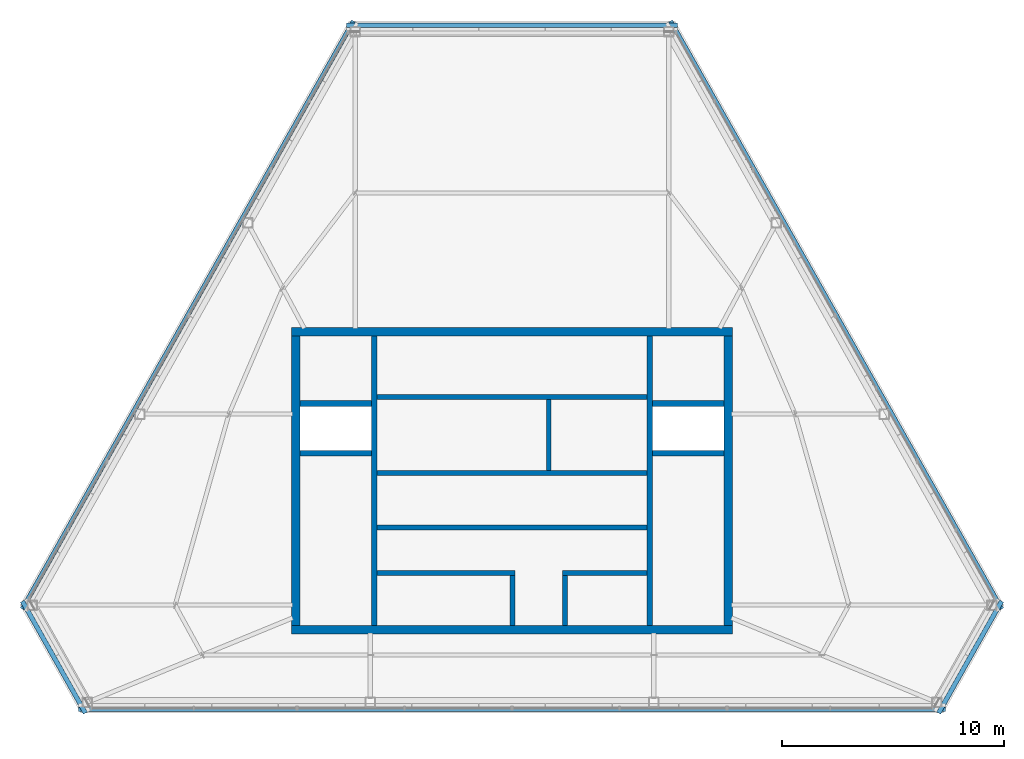
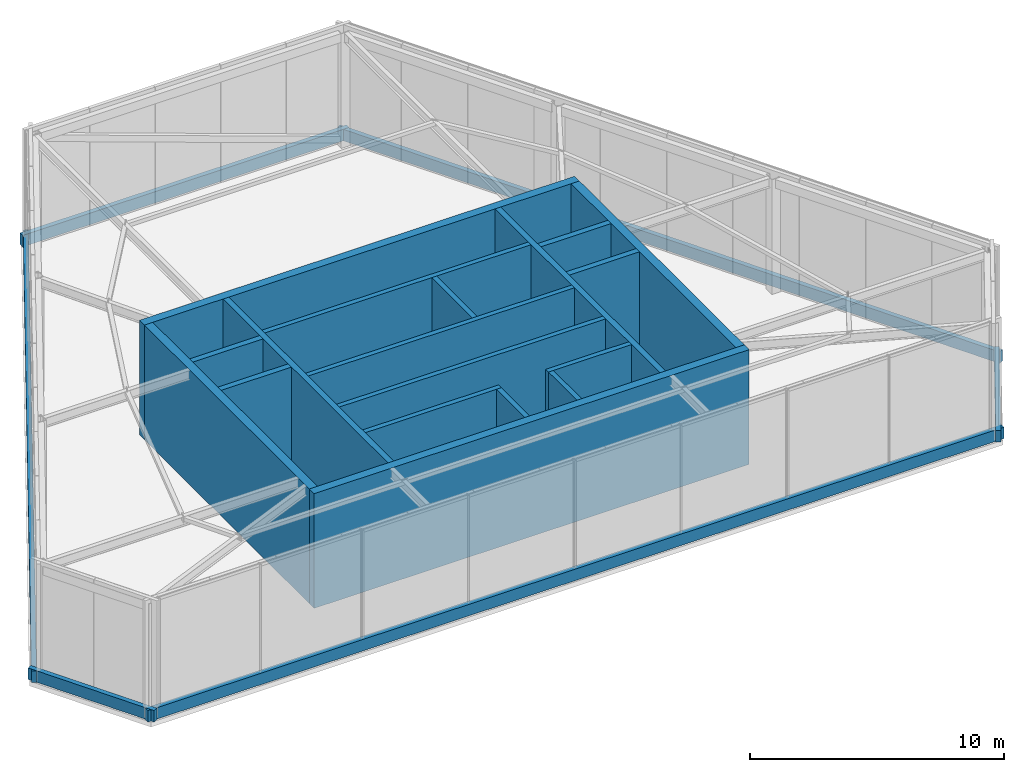
# One storey, part 11 of 12: 24 walls.
"""IFC4 building model written with IfcOpenShell, lengths in metres."""

from ifc_helpers import new_model, si_unit, direction, frame, frame_2d, origin, place, context, subcontext, project, spatial, rectangle, extrude, material, layer, layer_set, type_object, element, save


model = new_model("IFC4")

# Units and contexts
model_context = context("Model", 3, precision=1e-05, world=origin(), true_north=direction((0.0, 1.0)))
body_context = subcontext(model_context, "Body", "Model", "MODEL_VIEW")
ifc_project = project(units=[si_unit("LENGTHUNIT", "METRE"), si_unit("AREAUNIT", "SQUARE_METRE"), si_unit("VOLUMEUNIT", "CUBIC_METRE"), si_unit("PLANEANGLEUNIT", "RADIAN"), si_unit("MASSUNIT", "GRAM", prefix="KILO")], contexts=[model_context])

# Site, building, storey
site_placement = place(None, origin())
site = spatial("IfcSite", under=ifc_project, at=site_placement, CompositionType="ELEMENT")
building_placement = place(site_placement, origin())
building = spatial("IfcBuilding", under=site, at=building_placement, Name="Kavelnor Concourse Tower", CompositionType="ELEMENT")
storey_placement = place(building_placement, frame((0.0, 0.0, 315.699951171875)))
storey = spatial("IfcBuildingStorey", under=building, at=storey_placement, Name="L79", CompositionType="ELEMENT", Elevation=315.699951171875)

# Walls
ifc_material_1 = material(Name="Concrete C50/60", Category="concrete")
ifc_layer_1 = layer(ifc_material_1, 0.3798828125, Name="Concrete C50/60")
ifc_layer_set_1 = layer_set([ifc_layer_1], Name="Concrete C50/60")
wall_type_1 = type_object("IfcWallType", Name="WL-CORE-Z4-380", PredefinedType="SOLIDWALL", material=ifc_layer_set_1)
for number, where, z_axis, x_axis, name in (
    (1, (28.10009765625, 9.409912109375, 0.0), (0.0, 0.0, 1.0), (1.0, 0.0, 0.0), "L79 Central Core South Shear Wall"),
    (2, (28.10009765625, 22.7900390625, 0.0), (0.0, 0.0, 1.0), (1.0, 0.0, 0.0), "L79 Central Core North Shear Wall"),
):
    element("IfcWall", number, at=place(storey_placement, frame(where, z_axis=z_axis, x_axis=x_axis)), inside=storey, type_object=wall_type_1, Name=name, PredefinedType="SOLIDWALL", context=body_context, shape_type="SweptSolid", body=[
        extrude(rectangle(XDim=19.7998046875, YDim=0.3798828125, at=frame_2d((9.89990234375, 0.0))), origin(), (0.0, 0.0, 1.0), 5.52001953125),
    ])
for number, where, z_axis, x_axis, name in (
    (3, (28.2900390625, 9.60009765625, 0.0), (0.0, 0.0, 1.0), (0.0, 1.0, 0.0), "L79 Central Core West Shear Wall"),
    (4, (47.7099609375, 9.60009765625, 0.0), (0.0, 0.0, 1.0), (0.0, 1.0, 0.0), "L79 Central Core East Shear Wall"),
):
    element("IfcWall", number, at=place(storey_placement, frame(where, z_axis=z_axis, x_axis=x_axis)), inside=storey, type_object=wall_type_1, Name=name, PredefinedType="SOLIDWALL", context=body_context, shape_type="SweptSolid", body=[
        extrude(rectangle(XDim=13.0, YDim=0.3798828125, at=frame_2d((6.5, 0.0))), origin(), (0.0, 0.0, 1.0), 5.52001953125),
    ])
ifc_material_2 = material(Name="Buff ironspot clay face brick masonry", Category="masonry")
ifc_layer_2 = layer(ifc_material_2, 0.2099609375, Name="Buff ironspot clay face brick masonry")
ifc_layer_set_2 = layer_set([ifc_layer_2], Name="Buff ironspot clay face brick masonry")
wall_type_2 = type_object("IfcWallType", Name="WL-PARAPET-CROWN-210", PredefinedType="PARAPET", material=ifc_layer_set_2)
wall_1_placement = place(storey_placement, frame((45.4296875, 36.576171875, 0.0), z_axis=(0.0, 0.0, 1.0), x_axis=(-1.0, 0.0, 0.0)))
element("IfcWall", 5, at=wall_1_placement, inside=storey, type_object=wall_type_2, Name="L79 Crown Perimeter Sill Upstand E0", PredefinedType="PARAPET", context=body_context, shape_type="SweptSolid", body=[
    extrude(rectangle(XDim=14.859375, YDim=0.2099609375, at=frame_2d((7.4296875, 0.0))), origin(), (0.0, 0.0, 1.0), 0.550048828125),
])
wall_2_placement = place(storey_placement, frame((30.876220703125, 36.7548828125, 0.0), z_axis=(0.0, 0.0, 1.0), x_axis=(-0.490730545971, -0.87131138593, 0.0)))
element("IfcWall", 6, at=wall_2_placement, inside=storey, type_object=wall_type_2, Name="L79 Crown Perimeter Sill Upstand E1", PredefinedType="PARAPET", context=body_context, shape_type="SweptSolid", body=[
    extrude(rectangle(XDim=30.325439453125, YDim=0.2099609375, at=frame_2d((15.16259765625, 0.0))), origin(), (0.0, 0.0, 1.0), 0.550048828125),
])
wall_3_placement = place(storey_placement, frame((15.99462890625, 10.68310546875, 0.0), z_axis=(0.0, 0.0, 1.0), x_axis=(0.490715240018, -0.871320006206, 0.0)))
element("IfcWall", 7, at=wall_3_placement, inside=storey, type_object=wall_type_2, Name="L79 Crown Perimeter Sill Upstand E2", PredefinedType="PARAPET", context=body_context, shape_type="SweptSolid", body=[
    extrude(rectangle(XDim=5.769287109375, YDim=0.2099609375, at=frame_2d((2.884765625, 0.0))), origin(), (0.0, 0.0, 1.0), 0.550048828125),
])
wall_4_placement = place(storey_placement, frame((18.52001953125, 5.8349609375, 0.0), z_axis=(0.0, 0.0, 1.0), x_axis=(1.0, 0.0, 0.0)))
element("IfcWall", 8, at=wall_4_placement, inside=storey, type_object=wall_type_2, Name="L79 Crown Perimeter Sill Upstand E3", PredefinedType="PARAPET", context=body_context, shape_type="SweptSolid", body=[
    extrude(rectangle(XDim=38.9599609375, YDim=0.2099609375, at=frame_2d((19.47998046875, 0.0))), origin(), (0.0, 0.0, 1.0), 0.550048828125),
])
wall_5_placement = place(storey_placement, frame((57.17431640625, 5.65625, 0.0), z_axis=(0.0, 0.0, 1.0), x_axis=(0.490715240018, 0.871320006206, 0.0)))
element("IfcWall", 9, at=wall_5_placement, inside=storey, type_object=wall_type_2, Name="L79 Crown Perimeter Sill Upstand E4", PredefinedType="PARAPET", context=body_context, shape_type="SweptSolid", body=[
    extrude(rectangle(XDim=5.769287109375, YDim=0.2099609375, at=frame_2d((2.884765625, 0.0))), origin(), (0.0, 0.0, 1.0), 0.550048828125),
])
wall_6_placement = place(storey_placement, frame((60.00537109375, 10.33203125, 0.0), z_axis=(0.0, 0.0, 1.0), x_axis=(-0.490730545971, 0.87131138593, 0.0)))
element("IfcWall", 10, at=wall_6_placement, inside=storey, type_object=wall_type_2, Name="L79 Crown Perimeter Sill Upstand E5", PredefinedType="PARAPET", context=body_context, shape_type="SweptSolid", body=[
    extrude(rectangle(XDim=30.325439453125, YDim=0.2099609375, at=frame_2d((15.16259765625, 0.0))), origin(), (0.0, 0.0, 1.0), 0.550048828125),
])
ifc_layer_3 = layer(ifc_material_1, 0.219970703125, Name="Concrete C50/60")
ifc_layer_set_3 = layer_set([ifc_layer_3], Name="Concrete C50/60")
wall_type_3 = type_object("IfcWallType", Name="WL-SHAFT-220", PredefinedType="SOLIDWALL", material=ifc_layer_set_3)
for number, where, z_axis, x_axis, name in (
    (11, (31.93994140625, 19.8701171875, 0.0), (0.0, 0.0, 1.0), (1.0, 0.0, 0.0), "L79 Emergency Lift Lobby South Wall"),
    (12, (31.93994140625, 16.449951171875, 0.0), (0.0, 0.0, 1.0), (1.0, 0.0, 0.0), "L79 Stair ST3 South Core Wall"),
):
    element("IfcWall", number, at=place(storey_placement, frame(where, z_axis=z_axis, x_axis=x_axis)), inside=storey, type_object=wall_type_3, Name=name, PredefinedType="SOLIDWALL", context=body_context, shape_type="SweptSolid", body=[
        extrude(rectangle(XDim=12.1201171875, YDim=0.219970703125, at=frame_2d((6.06005859375, 0.0))), origin(), (0.0, 0.0, 1.0), 5.52001953125),
    ])
wall_7_placement = place(storey_placement, frame((39.64990234375, 16.56005859375, 0.0), z_axis=(0.0, 0.0, 1.0), x_axis=(0.0, 1.0, 0.0)))
element("IfcWall", 13, at=wall_7_placement, inside=storey, type_object=wall_type_3, Name="L79 Stair ST3 East Core Wall", PredefinedType="SOLIDWALL", context=body_context, shape_type="SweptSolid", body=[
    extrude(rectangle(XDim=3.199951171875, YDim=0.219970703125, at=frame_2d((1.60009765625, 0.0))), origin(), (0.0, 0.0, 1.0), 5.52001953125),
])
wall_8_placement = place(storey_placement, frame((31.93994140625, 13.989990234375, 0.0), z_axis=(0.0, 0.0, 1.0), x_axis=(1.0, 0.0, 0.0)))
element("IfcWall", 14, at=wall_8_placement, inside=storey, type_object=wall_type_3, Name="L79 North Lift Row Shaft Wall", PredefinedType="SOLIDWALL", context=body_context, shape_type="SweptSolid", body=[
    extrude(rectangle(XDim=12.1201171875, YDim=0.219970703125, at=frame_2d((6.06005859375, 0.0))), origin(), (0.0, 0.0, 1.0), 5.52001953125),
])
wall_9_placement = place(storey_placement, frame((31.93994140625, 11.949951171875, 0.0), z_axis=(0.0, 0.0, 1.0), x_axis=(1.0, 0.0, 0.0)))
element("IfcWall", 15, at=wall_9_placement, inside=storey, type_object=wall_type_3, Name="L79 High-Rise Lift Bank North Wall", PredefinedType="SOLIDWALL", context=body_context, shape_type="SweptSolid", body=[
    extrude(rectangle(XDim=6.18994140625, YDim=0.219970703125, at=frame_2d((3.094970703125, 0.0))), origin(), (0.0, 0.0, 1.0), 5.52001953125),
])
wall_10_placement = place(storey_placement, frame((40.280029296875, 11.949951171875, 0.0), z_axis=(0.0, 0.0, 1.0), x_axis=(1.0, 0.0, 0.0)))
element("IfcWall", 16, at=wall_10_placement, inside=storey, type_object=wall_type_3, Name="L79 Core South Support North Wall", PredefinedType="SOLIDWALL", context=body_context, shape_type="SweptSolid", body=[
    extrude(rectangle(XDim=3.780029296875, YDim=0.219970703125, at=frame_2d((1.89013671875, 0.0))), origin(), (0.0, 0.0, 1.0), 5.52001953125),
])
for number, where, z_axis, x_axis, name in (
    (17, (38.02001953125, 9.60009765625, 0.0), (0.0, 0.0, 1.0), (0.0, 1.0, 0.0), "L79 Lift Lobby Throat West Wall"),
    (18, (40.389892578125, 9.60009765625, 0.0), (0.0, 0.0, 1.0), (0.0, 1.0, 0.0), "L79 Lift Lobby Throat East Wall"),
):
    element("IfcWall", number, at=place(storey_placement, frame(where, z_axis=z_axis, x_axis=x_axis)), inside=storey, type_object=wall_type_3, Name=name, PredefinedType="SOLIDWALL", context=body_context, shape_type="SweptSolid", body=[
        extrude(rectangle(XDim=2.239990234375, YDim=0.219970703125, at=frame_2d((1.1201171875, 0.0))), origin(), (0.0, 0.0, 1.0), 5.52001953125),
    ])
ifc_layer_4 = layer(ifc_material_1, 0.260009765625, Name="Concrete C50/60")
ifc_layer_set_4 = layer_set([ifc_layer_4], Name="Concrete C50/60")
wall_type_4 = type_object("IfcWallType", Name="WL-SHAFT-260", PredefinedType="SHEAR", material=ifc_layer_set_4)
for number, where, z_axis, x_axis, name in (
    (19, (31.81005859375, 9.60009765625, 0.0), (0.0, 0.0, 1.0), (0.0, 1.0, 0.0), "L79 Core West Wing Shear Wall"),
    (20, (44.18994140625, 9.60009765625, 0.0), (0.0, 0.0, 1.0), (0.0, 1.0, 0.0), "L79 Core East Wing Shear Wall"),
):
    element("IfcWall", number, at=place(storey_placement, frame(where, z_axis=z_axis, x_axis=x_axis)), inside=storey, type_object=wall_type_4, Name=name, PredefinedType="SHEAR", context=body_context, shape_type="SweptSolid", body=[
        extrude(rectangle(XDim=13.0, YDim=0.260009765625, at=frame_2d((6.5, 0.0))), origin(), (0.0, 0.0, 1.0), 5.52001953125),
    ])
for number, where, z_axis, x_axis, name in (
    (21, (28.47998046875, 17.330078125, 0.0), (0.0, 0.0, 1.0), (1.0, 0.0, 0.0), "L79 Stair ST1 North Shaft Wall"),
    (22, (28.47998046875, 19.570068359375, 0.0), (0.0, 0.0, 1.0), (1.0, 0.0, 0.0), "L79 Emergency Lift FL1 South Shaft Wall"),
    (23, (44.320068359375, 17.330078125, 0.0), (0.0, 0.0, 1.0), (1.0, 0.0, 0.0), "L79 Stair ST2 North Shaft Wall"),
    (24, (44.320068359375, 19.570068359375, 0.0), (0.0, 0.0, 1.0), (1.0, 0.0, 0.0), "L79 Emergency Lift FL2 South Shaft Wall"),
):
    element("IfcWall", number, at=place(storey_placement, frame(where, z_axis=z_axis, x_axis=x_axis)), inside=storey, type_object=wall_type_4, Name=name, PredefinedType="SHEAR", context=body_context, shape_type="SweptSolid", body=[
        extrude(rectangle(XDim=3.199951171875, YDim=0.260009765625, at=frame_2d((1.60009765625, 0.0))), origin(), (0.0, 0.0, 1.0), 5.52001953125),
    ])

save(model, "model.ifc")
